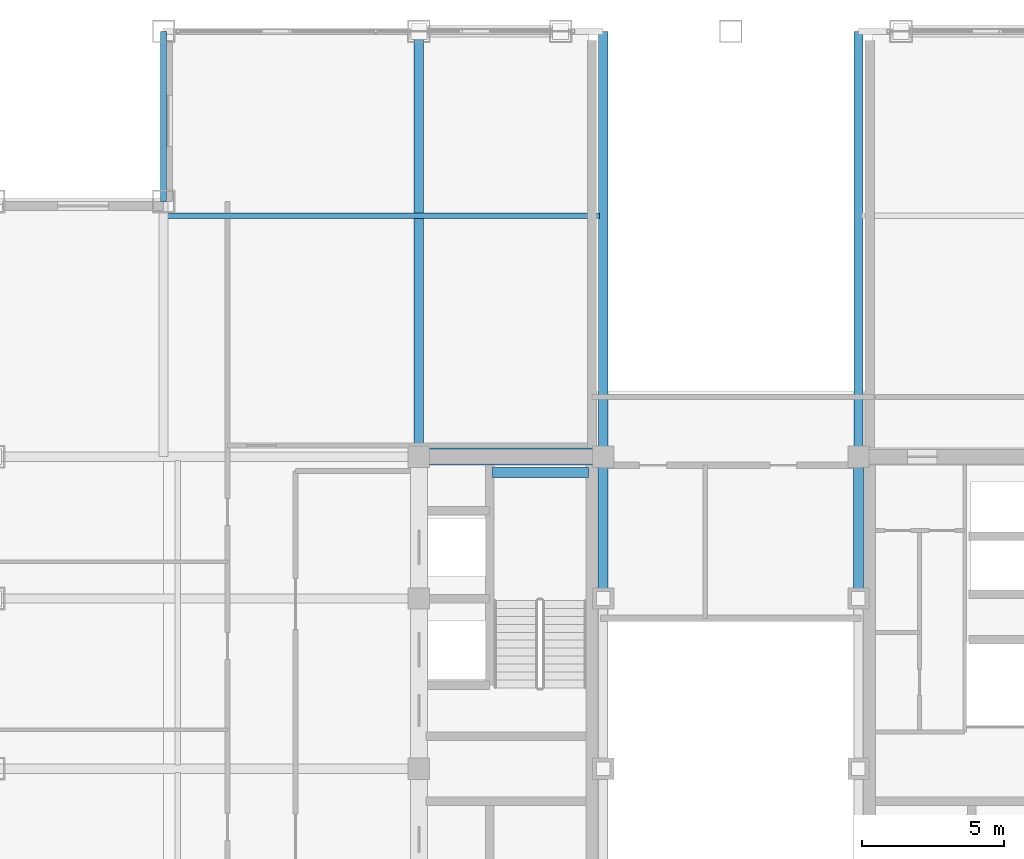
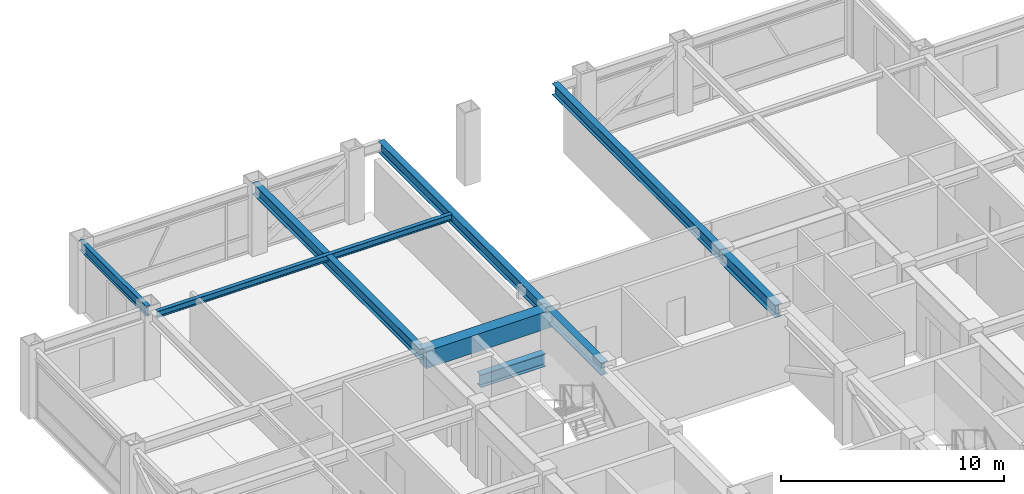
# One storey, part 18 of 29: 9 beams.
"""IFC4 building model written with IfcOpenShell, lengths in metres."""

from ifc_helpers import new_model, si_unit, direction, frame, origin, origin_2d, place, context, subcontext, project, spatial, rectangle, i_section, extrude, source, transform, mapped, material, material_profile, profile_set, type_object, element, save


model = new_model("IFC4")

# Units and contexts
model_context = context("Model", 3, precision=1e-05, world=origin(), true_north=direction((0.0, 1.0)))
body_context = subcontext(model_context, "Body", "Model", "MODEL_VIEW")
ifc_project = project(units=[si_unit("LENGTHUNIT", "METRE"), si_unit("AREAUNIT", "SQUARE_METRE"), si_unit("VOLUMEUNIT", "CUBIC_METRE"), si_unit("PLANEANGLEUNIT", "RADIAN"), si_unit("MASSUNIT", "GRAM", prefix="KILO")], contexts=[model_context])

# Site, building, storey
site_placement = place(None, origin())
site = spatial("IfcSite", under=ifc_project, at=site_placement, CompositionType="ELEMENT")
building_placement = place(site_placement, origin())
building = spatial("IfcBuilding", under=site, at=building_placement, Name="Khorayat Bourse Tower", CompositionType="ELEMENT")
storey_placement = place(building_placement, frame((0.0, 0.0, 350.300048828125)))
storey = spatial("IfcBuildingStorey", under=building, at=storey_placement, Name="L83", CompositionType="ELEMENT", Elevation=350.300048828125)

# Beams
ifc_material_1 = material(Name="Steel ASTM A992 Grade 50", Category="steel")
ifc_material_profile_1 = material_profile(ifc_material_1, i_section(OverallWidth=0.35498046875, OverallDepth=0.695068359375, WebThickness=0.015380859375, FlangeThickness=0.02490234375, FilletRadius=0.01806640625, at=origin_2d()), Name="W690X217")
ifc_profile_set_1 = profile_set([ifc_material_profile_1], Name="Steel ASTM A992 Grade 50")
beam_type_1 = type_object("IfcBeamType", Name="BM-GIRD-690", PredefinedType="BEAM", material=ifc_profile_set_1)
shared_shape_1 = source(origin(), body_context, "Body", "SweptSolid", [
    extrude(i_section(OverallWidth=0.35498046875, OverallDepth=0.695068359375, WebThickness=0.015380859375, FlangeThickness=0.02490234375, FilletRadius=0.01806640625, at=origin_2d()), origin(), (0.0, 0.0, 1.0), 5.0),
])
for number, where, z_axis, x_axis, name in (
    (1, (-4.5, 6.0, 3.392333984375), (0.0, 1.0, 0.0), (-1.0, 0.0, 0.0), "L83 BM-GIRD-690 BM-L83-CRX-08"),
    (2, (4.5, 6.0, 3.392333984375), (0.0, 1.0, 0.0), (-1.0, 0.0, 0.0), "L83 BM-GIRD-690 BM-L83-CRX-12"),
):
    element("IfcBeam", number, at=place(storey_placement, frame(where, z_axis=z_axis, x_axis=x_axis)), inside=storey, type_object=beam_type_1, Name=name, PredefinedType="BEAM", context=body_context, shape_type="MappedRepresentation", body=[
        mapped(shared_shape_1, transform((0.0, 0.0, 0.0), scale=1.0)),
    ])
shared_shape_2 = source(origin(), body_context, "Body", "SweptSolid", [
    extrude(i_section(OverallWidth=0.35498046875, OverallDepth=0.695068359375, WebThickness=0.015380859375, FlangeThickness=0.02490234375, FilletRadius=0.01806640625, at=origin_2d()), origin(), (0.0, 0.0, 1.0), 3.39990234375),
])
beam_1_placement = place(storey_placement, frame((-8.419921875, 10.449951171875, 1.452392578125), z_axis=(1.0, 0.0, 0.0), x_axis=(0.0, 1.0, 0.0)))
element("IfcBeam", 3, at=beam_1_placement, inside=storey, type_object=beam_type_1, Name="L83 BM-GIRD-690 BM-L83-ST2L", PredefinedType="BEAM", context=body_context, shape_type="MappedRepresentation", body=[
    mapped(shared_shape_2, transform((0.0, 0.0, 0.0), scale=1.0)),
])
ifc_material_2 = material(Name="Concrete C60/75", Category="concrete")
ifc_material_profile_2 = material_profile(ifc_material_2, rectangle(XDim=0.60009765625, YDim=0.949951171875, at=origin_2d()), Name="RC 600x950")
ifc_profile_set_2 = profile_set([ifc_material_profile_2], Name="Concrete C60/75")
beam_type_2 = type_object("IfcBeamType", Name="BM-COUP-950", PredefinedType="BEAM", material=ifc_profile_set_2)
shared_shape_3 = source(origin(), body_context, "Body", "SweptSolid", [
    extrude(rectangle(XDim=0.60009765625, YDim=0.949951171875, at=origin_2d()), origin(), (0.0, 0.0, 1.0), 6.5),
])
beam_2_placement = place(storey_placement, frame((-11.0, 11.0, 3.264892578125), z_axis=(1.0, 0.0, 0.0), x_axis=(0.0, 1.0, 0.0)))
element("IfcBeam", 4, at=beam_2_placement, inside=storey, type_object=beam_type_2, Name="L83 BM-COUP-950 BM-L83-CRY-19", PredefinedType="BEAM", context=body_context, shape_type="MappedRepresentation", body=[
    mapped(shared_shape_3, transform((0.0, 0.0, 0.0), scale=1.0)),
])
ifc_material_profile_3 = material_profile(ifc_material_1, i_section(OverallWidth=0.214111328125, OverallDepth=0.549072265625, WebThickness=0.0146484375, FlangeThickness=0.023681640625, FilletRadius=0.013916015625, at=origin_2d()), Name="W530X138")
ifc_profile_set_3 = profile_set([ifc_material_profile_3], Name="Steel ASTM A992 Grade 50")
beam_type_3 = type_object("IfcBeamType", Name="BM-SPAN-530", PredefinedType="SPANDREL", material=ifc_profile_set_3)
shared_shape_4 = source(origin(), body_context, "Body", "SweptSolid", [
    extrude(i_section(OverallWidth=0.214111328125, OverallDepth=0.549072265625, WebThickness=0.0146484375, FlangeThickness=0.023681640625, FilletRadius=0.013916015625, at=origin_2d()), origin(), (0.0, 0.0, 1.0), 6.0),
])
beam_3_placement = place(storey_placement, frame((-20.0, 20.0, 3.46533203125), z_axis=(0.0, 1.0, 0.0), x_axis=(-1.0, 0.0, 0.0)))
element("IfcBeam", 5, at=beam_3_placement, inside=storey, type_object=beam_type_3, Name="L83 BM-SPAN-530 BM-L83-SPN-043", PredefinedType="SPANDREL", context=body_context, shape_type="MappedRepresentation", body=[
    mapped(shared_shape_4, transform((0.0, 0.0, 0.0), scale=1.0)),
])
ifc_material_profile_4 = material_profile(ifc_material_1, i_section(OverallWidth=0.324951171875, OverallDepth=0.615966796875, WebThickness=0.013916015625, FlangeThickness=0.021484375, FilletRadius=0.01611328125, at=origin_2d()), Name="W610X174")
ifc_profile_set_4 = profile_set([ifc_material_profile_4], Name="Steel ASTM A992 Grade 50")
beam_type_4 = type_object("IfcBeamType", Name="BM-GIRD-610", PredefinedType="BEAM", material=ifc_profile_set_4)
shared_shape_5 = source(origin(), body_context, "Body", "SweptSolid", [
    extrude(i_section(OverallWidth=0.324951171875, OverallDepth=0.615966796875, WebThickness=0.013916015625, FlangeThickness=0.021484375, FilletRadius=0.01611328125, at=origin_2d()), origin(), (0.0, 0.0, 1.0), 15.0),
])
for number, where, z_axis, x_axis, name in (
    (6, (-11.0, 11.0, 3.431884765625), (0.0, 1.0, 0.0), (-1.0, 0.0, 0.0), "L83 BM-GIRD-610 BM-L83-RADY-053"),
    (7, (-4.5, 11.0, 3.431884765625), (0.0, 1.0, 0.0), (-1.0, 0.0, 0.0), "L83 BM-GIRD-610 BM-L83-RADY-055"),
    (8, (4.5, 11.0, 3.431884765625), (0.0, 1.0, 0.0), (-1.0, 0.0, 0.0), "L83 BM-GIRD-610 BM-L83-RADY-057"),
):
    element("IfcBeam", number, at=place(storey_placement, frame(where, z_axis=z_axis, x_axis=x_axis)), inside=storey, type_object=beam_type_4, Name=name, PredefinedType="BEAM", context=body_context, shape_type="MappedRepresentation", body=[
        mapped(shared_shape_5, transform((0.0, 0.0, 0.0), scale=1.0)),
    ])
ifc_material_profile_5 = material_profile(ifc_material_1, i_section(OverallWidth=0.202880859375, OverallDepth=0.346923828125, WebThickness=0.0078125, FlangeThickness=0.013427734375, FilletRadius=0.010009765625, at=origin_2d()), Name="W360X64")
ifc_profile_set_5 = profile_set([ifc_material_profile_5], Name="Steel ASTM A992 Grade 50")
beam_type_5 = type_object("IfcBeamType", Name="BM-JOIST-360", PredefinedType="JOIST", material=ifc_profile_set_5)
shared_shape_6 = source(origin(), body_context, "Body", "SweptSolid", [
    extrude(i_section(OverallWidth=0.202880859375, OverallDepth=0.346923828125, WebThickness=0.0078125, FlangeThickness=0.013427734375, FilletRadius=0.010009765625, at=origin_2d()), origin(), (0.0, 0.0, 1.0), 15.240234375),
])
beam_4_placement = place(storey_placement, frame((-19.8701171875, 19.5, 3.56640625), z_axis=(1.0, 0.0, 0.0), x_axis=(0.0, 1.0, 0.0)))
element("IfcBeam", 9, at=beam_4_placement, inside=storey, type_object=beam_type_5, Name="L83 BM-JOIST-360 BM-L83-JSTX-077", PredefinedType="JOIST", context=body_context, shape_type="MappedRepresentation", body=[
    mapped(shared_shape_6, transform((0.0, 0.0, 0.0), scale=1.0)),
])

save(model, "model.ifc")
